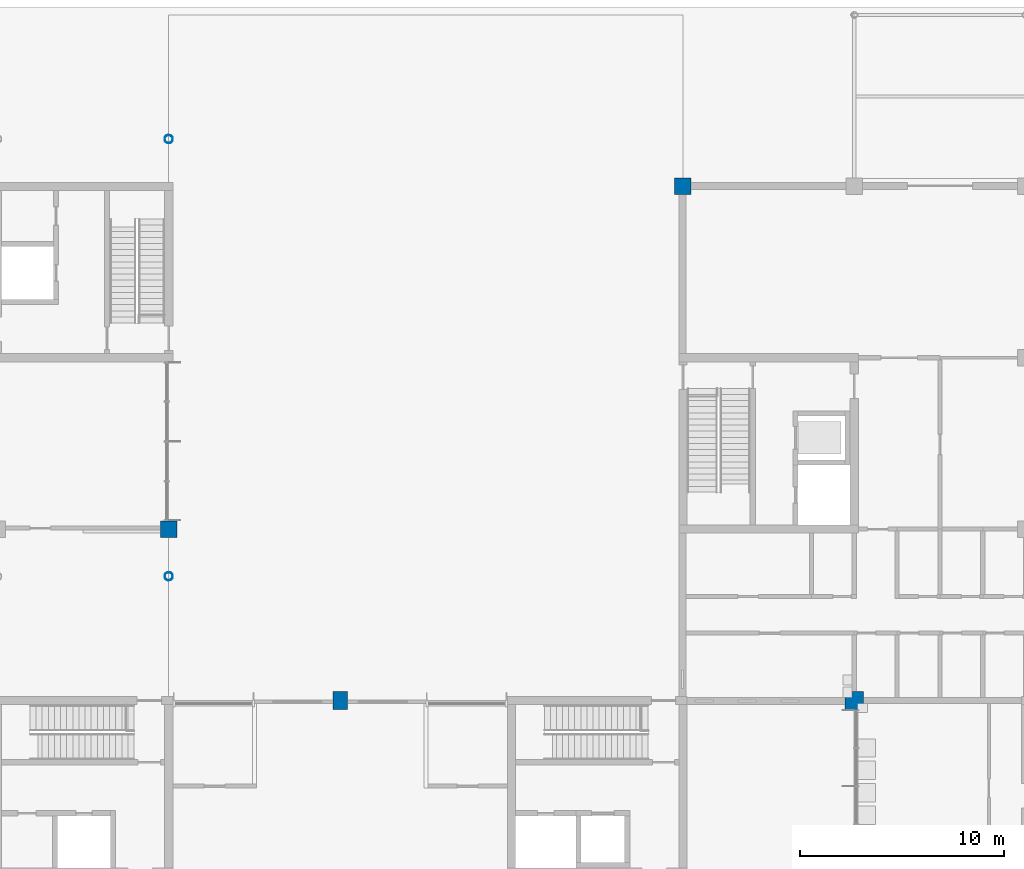
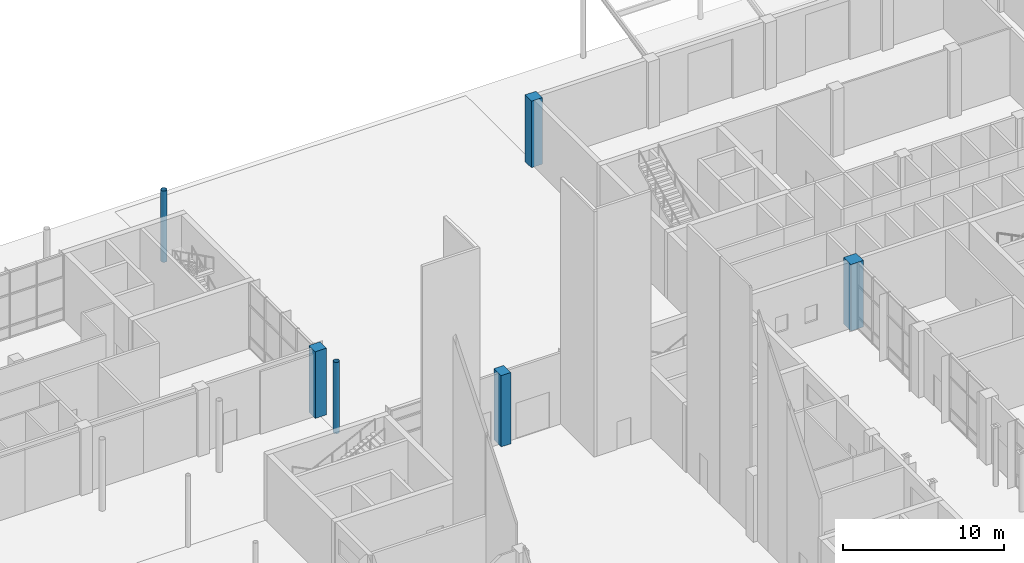
# One storey, part 10 of 76: 6 columns.
"""IFC4 building model written with IfcOpenShell, lengths in metres."""

from ifc_helpers import new_model, si_unit, direction, frame, origin, origin_2d, place, context, subcontext, project, spatial, rectangle, hollow_circle, extrude, material, material_profile, profile_set, type_object, element, save


model = new_model("IFC4")

# Units and contexts
model_context = context("Model", 3, precision=1e-05, world=origin(), true_north=direction((0.0, 1.0)))
body_context = subcontext(model_context, "Body", "Model", "MODEL_VIEW")
ifc_project = project(units=[si_unit("LENGTHUNIT", "METRE"), si_unit("AREAUNIT", "SQUARE_METRE"), si_unit("VOLUMEUNIT", "CUBIC_METRE"), si_unit("PLANEANGLEUNIT", "RADIAN"), si_unit("MASSUNIT", "GRAM", prefix="KILO")], contexts=[model_context])

# Site, building, storey
site_placement = place(None, origin())
site = spatial("IfcSite", under=ifc_project, at=site_placement, CompositionType="ELEMENT")
building_placement = place(site_placement, origin())
building = spatial("IfcBuilding", under=site, at=building_placement, Name="Hlaing Beacon Police Headquarters", CompositionType="ELEMENT")
storey_placement = place(building_placement, origin())
storey = spatial("IfcBuildingStorey", under=building, at=storey_placement, Name="L00", CompositionType="ELEMENT", Elevation=0.0)

# Columns
ifc_material_1 = material(Name="Steel ASTM A500 Grade C", Category="steel")
ifc_material_profile_1 = material_profile(ifc_material_1, hollow_circle(Radius=0.203125, WallThickness=0.0126953125, at=origin_2d()), Name="HSS16.000x0.500")
ifc_profile_set_1 = profile_set([ifc_material_profile_1], Name="Steel ASTM A500 Grade C")
column_type_1 = type_object("IfcColumnType", Name="Eave edge post HSS16.000x0.500", PredefinedType="COLUMN", material=ifc_profile_set_1)
for number, where, z_axis, x_axis, name in (
    (1, (67.199951171875, 94.71728515625, 0.0), (0.0, 0.0, 1.0), (1.0, 0.0, 0.0), "STR-RT-V2-EEP-N0672-L00"),
    (2, (67.199951171875, 73.28271484375, 0.0), (0.0, 0.0, 1.0), (1.0, 0.0, 0.0), "STR-RT-V2-EEP-S0672-L00"),
):
    element("IfcColumn", number, at=place(storey_placement, frame(where, z_axis=z_axis, x_axis=x_axis)), inside=storey, type_object=column_type_1, Name=name, PredefinedType="COLUMN", context=body_context, shape_type="SweptSolid", body=[
        extrude(hollow_circle(Radius=0.203125, WallThickness=0.0126953125, at=origin_2d()), origin(), (0.0, 0.0, 1.0), 5.39990234375),
    ])
ifc_material_2 = material(Name="Concrete C50/60", Category="concrete")
ifc_material_profile_2 = material_profile(ifc_material_2, rectangle(XDim=0.699951171875, YDim=0.89990234375, at=origin_2d()), Name="700x900")
ifc_profile_set_2 = profile_set([ifc_material_profile_2], Name="Concrete C50/60")
column_type_2 = type_object("IfcColumnType", Name="RC column 700x900 C50/60", PredefinedType="COLUMN", material=ifc_profile_set_2)
column_1_placement = place(storey_placement, frame((75.60009765625, 67.199951171875, 0.0), z_axis=(0.0, 0.0, 1.0), x_axis=(1.0, 0.0, 0.0)))
element("IfcColumn", 3, at=column_1_placement, inside=storey, type_object=column_type_2, Name="STR-COL-L00-K9", PredefinedType="COLUMN", context=body_context, shape_type="SweptSolid", body=[
    extrude(rectangle(XDim=0.699951171875, YDim=0.89990234375, at=origin_2d()), origin(), (0.0, 0.0, 1.0), 5.39990234375),
])
ifc_material_3 = material(Name="Concrete C50/60", Category="concrete")
ifc_material_profile_3 = material_profile(ifc_material_3, rectangle(XDim=0.800048828125, YDim=0.800048828125, at=origin_2d()), Name="800x800")
ifc_profile_set_3 = profile_set([ifc_material_profile_3], Name="Concrete C50/60")
column_type_3 = type_object("IfcColumnType", Name="RC column 800x800 C50/60", PredefinedType="COLUMN", material=ifc_profile_set_3)
for number, where, z_axis, x_axis, name in (
    (4, (67.199951171875, 75.60009765625, 0.0), (0.0, 0.0, 1.0), (1.0, 0.0, 0.0), "STR-COL-L00-J10"),
    (5, (92.39990234375, 92.39990234375, 0.0), (0.0, 0.0, 1.0), (1.0, 0.0, 0.0), "STR-COL-L00-M12"),
):
    element("IfcColumn", number, at=place(storey_placement, frame(where, z_axis=z_axis, x_axis=x_axis)), inside=storey, type_object=column_type_3, Name=name, PredefinedType="COLUMN", context=body_context, shape_type="SweptSolid", body=[
        extrude(rectangle(XDim=0.800048828125, YDim=0.800048828125, at=origin_2d()), origin(), (0.0, 0.0, 1.0), 5.050048828125),
    ])
ifc_material_4 = material(Name="Concrete C60/75", Category="concrete")
ifc_material_profile_4 = material_profile(ifc_material_4, rectangle(XDim=0.89990234375, YDim=0.89990234375, at=origin_2d()), Name="900x900")
ifc_profile_set_4 = profile_set([ifc_material_profile_4], Name="Concrete C60/75")
column_type_4 = type_object("IfcColumnType", Name="RC column 900x900 C60/75", PredefinedType="COLUMN", material=ifc_profile_set_4)
column_2_placement = place(storey_placement, frame((100.800048828125, 67.199951171875, 0.0), z_axis=(0.0, 0.0, 1.0), x_axis=(1.0, 0.0, 0.0)))
element("IfcColumn", 6, at=column_2_placement, inside=storey, type_object=column_type_4, Name="STR-COL-L00-N9", PredefinedType="COLUMN", context=body_context, shape_type="SweptSolid", body=[
    extrude(rectangle(XDim=0.89990234375, YDim=0.89990234375, at=origin_2d()), origin(), (0.0, 0.0, 1.0), 5.050048828125),
])

save(model, "model.ifc")
